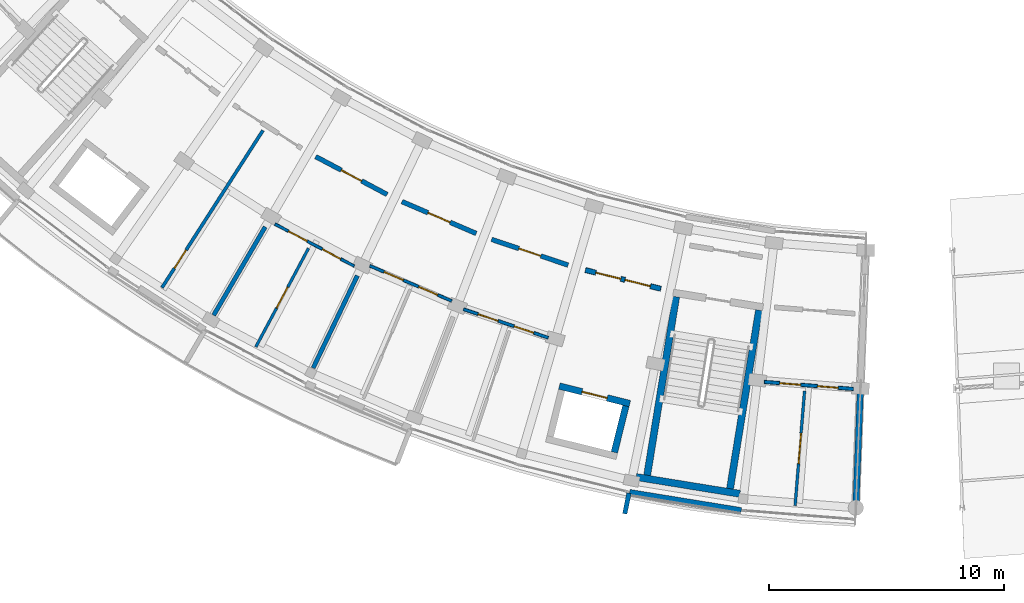
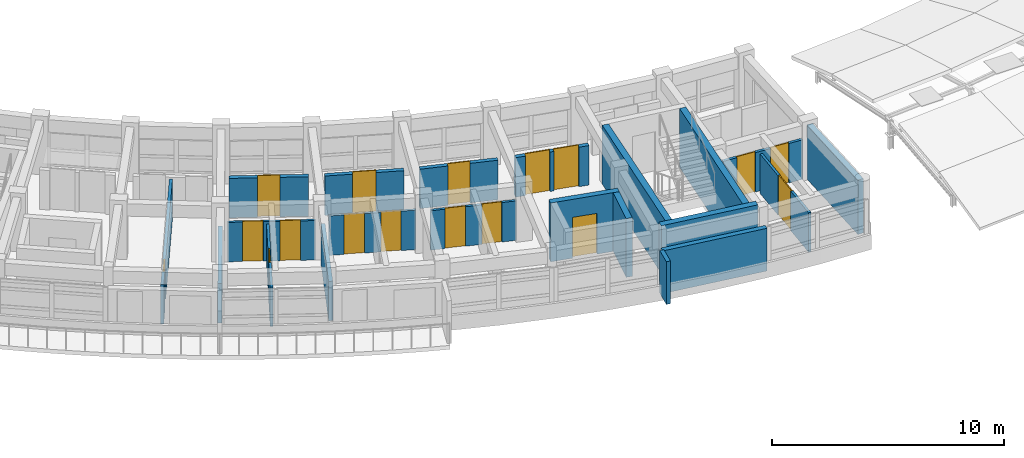
# One storey, part 36 of 50: 21 walls, 17 doors, 17 openings.
"""IFC4 building model written with IfcOpenShell, lengths in metres."""

from ifc_helpers import new_model, si_unit, direction, frame, frame_2d, origin, place, context, subcontext, project, spatial, rectangle, extrude, material, layer, layer_set, type_object, element, fill, save


model = new_model("IFC4")

# Units and contexts
model_context = context("Model", 3, precision=1e-05, world=origin(), true_north=direction((0.0, 1.0)))
body_context = subcontext(model_context, "Body", "Model", "MODEL_VIEW")
ifc_project = project(units=[si_unit("LENGTHUNIT", "METRE"), si_unit("AREAUNIT", "SQUARE_METRE"), si_unit("VOLUMEUNIT", "CUBIC_METRE"), si_unit("PLANEANGLEUNIT", "RADIAN"), si_unit("MASSUNIT", "GRAM", prefix="KILO")], contexts=[model_context])

# Site, building, storey
site_placement = place(None, origin())
site = spatial("IfcSite", under=ifc_project, at=site_placement, CompositionType="ELEMENT")
building_placement = place(site_placement, origin())
building = spatial("IfcBuilding", under=site, at=building_placement, Name="Zimvara Arc Housing Community", CompositionType="ELEMENT")
storey_placement = place(building_placement, frame((0.0, 0.0, 26.699951171875)))
storey = spatial("IfcBuildingStorey", under=building, at=storey_placement, Name="L08", CompositionType="ELEMENT", Elevation=26.699951171875)

# Walls
ifc_material_1 = material(Name="Board-Marked Fair-Faced Concrete C35/45", Category="concrete")
ifc_layer_1 = layer(ifc_material_1, 0.239990234375)
ifc_layer_set_1 = layer_set([ifc_layer_1], Name="Board-Marked Fair-Faced Concrete C35/45")
wall_type_1 = type_object("IfcWallType", Name="EWL-CONC-240", PredefinedType="SOLIDWALL", material=ifc_layer_set_1)
wall_1_placement = place(storey_placement, frame((114.100341796875, 51.681396484375, 0.0), z_axis=(0.0, 0.0, 1.0), x_axis=(0.987080750493, -0.160223568819, 0.0)))
element("IfcWall", 1, at=wall_1_placement, inside=storey, type_object=wall_type_1, Name="ewall:blkC:L08:out:b8", PredefinedType="SOLIDWALL", context=body_context, shape_type="SweptSolid", body=[
    extrude(rectangle(XDim=4.808837890625, YDim=0.239990234375, at=frame_2d((2.404296875, 0.0))), origin(), (0.0, 0.0, 1.0), 2.25),
])
ifc_material_2 = material(Name="Board-Marked Fair-Faced Concrete C35/45", Category="concrete")
ifc_layer_2 = layer(ifc_material_2, 0.195068359375)
ifc_layer_set_2 = layer_set([ifc_layer_2], Name="Board-Marked Fair-Faced Concrete C35/45")
wall_type_2 = type_object("IfcWallType", Name="EWL-PARA-195", PredefinedType="PARAPET", material=ifc_layer_set_2)
wall_2_placement = place(storey_placement, frame((114.072509765625, 51.645263671875, 0.0), z_axis=(0.0, 0.0, 1.0), x_axis=(-0.200236425943, -0.979747607155, 0.0)))
element("IfcWall", 2, at=wall_2_placement, inside=storey, type_object=wall_type_2, Name="finwall:blkC:L08:out:b8", PredefinedType="PARAPET", context=body_context, shape_type="SweptSolid", body=[
    extrude(rectangle(XDim=0.89990234375, YDim=0.195068359375, at=frame_2d((0.449951171875, 0.0))), origin(), (0.0, 0.0, 1.0), 2.25),
])

# Wall, openings, doors
ifc_material_3 = material(Name="Concrete C35/45", Category="concrete")
ifc_layer_3 = layer(ifc_material_3, 0.2099609375)
ifc_layer_set_3 = layer_set([ifc_layer_3], Name="Concrete C35/45")
wall_type_3 = type_object("IfcWallType", Name="IWL-CCF-210", PredefinedType="SOLIDWALL", material=ifc_layer_set_3)
wall_3_placement = place(storey_placement, frame((112.222900390625, 61.130126953125, 0.0), z_axis=(0.0, 0.0, 1.0), x_axis=(0.970719238682, -0.240216901263, 0.0)))
wall_3 = element("IfcWall", 3, at=wall_3_placement, inside=storey, type_object=wall_type_3, Name="iwall:blkC:L08:ll_div:b7", PredefinedType="SOLIDWALL", context=body_context, shape_type="SweptSolid", body=[
    extrude(rectangle(XDim=3.2958984375, YDim=0.2099609375, at=frame_2d((1.64794921875, 0.0))), origin(), (0.0, 0.0, 1.0), 2.080078125),
])
opening_1_placement = place(wall_3_placement, frame((0.449951171875, 0.0, 0.0)))
opening_1 = element("IfcOpeningElement", 4, at=opening_1_placement, cuts=wall_3, Name="Opening FD-CCF1", PredefinedType="OPENING", context=body_context, shape_type="SweptSolid", body=[
    extrude(rectangle(XDim=1.10009765625, YDim=2.14990234375, at=frame_2d((0.550048828125, 1.074951171875))), frame((0.0, 0.114990234375, 0.0), z_axis=(0.0, -1.0, 0.0), x_axis=(1.0, 0.0, 0.0)), (0.0, 0.0, 1.0), 0.22998046875),
])
opening_2_placement = place(wall_3_placement, frame((1.72607421875, 0.0, 0.0)))
opening_2 = element("IfcOpeningElement", 5, at=opening_2_placement, cuts=wall_3, Name="Opening D07", PredefinedType="OPENING", context=body_context, shape_type="SweptSolid", body=[
    extrude(rectangle(XDim=1.1201171875, YDim=2.14990234375, at=frame_2d((0.56005859375, 1.074951171875))), frame((0.0, 0.114990234375, 0.0), z_axis=(0.0, -1.0, 0.0), x_axis=(1.0, 0.0, 0.0)), (0.0, 0.0, 1.0), 0.22998046875),
])
ifc_material_4 = material(Name="Mozambican Hardwood", Category="wood")
door_type_1 = type_object("IfcDoorType", Name="IDR-AMN-1120x2150", OperationType="NOTDEFINED", PredefinedType="DOOR", material=ifc_material_4)
door_1_placement = place(opening_2_placement, origin())
door_1 = element("IfcDoor", 6, at=door_1_placement, inside=storey, type_object=door_type_1, Name="idoor:blkC:L08:rs_in:b7", OperationType="SINGLE_SWING_RIGHT", OverallHeight=2.14990234375, OverallWidth=1.1201171875, PredefinedType="DOOR", context=body_context, shape_type="SweptSolid", body=[
    extrude(rectangle(XDim=1.1201171875, YDim=2.14990234375, at=frame_2d((0.56005859375, 1.074951171875))), frame((0.0, 0.02490234375, 0.0), z_axis=(0.0, -1.0, 0.0), x_axis=(1.0, 0.0, 0.0)), (0.0, 0.0, 1.0), 0.050048828125),
])
fill(opening_2, door_1)
ifc_material_5 = material(Name="Anodised Aluminium AW-6063", Category="aluminium")
door_type_2 = type_object("IfcDoorType", Name="IDR-CCF-1100x2150", OperationType="NOTDEFINED", PredefinedType="DOOR", material=ifc_material_5)
door_2_placement = place(opening_1_placement, origin())
door_2 = element("IfcDoor", 7, at=door_2_placement, inside=storey, type_object=door_type_2, Name="idoor:blkC:L08:ll_in:b7", OperationType="SINGLE_SWING_LEFT", OverallHeight=2.14990234375, OverallWidth=1.10009765625, PredefinedType="DOOR", context=body_context, shape_type="SweptSolid", body=[
    extrude(rectangle(XDim=1.10009765625, YDim=2.14990234375, at=frame_2d((0.550048828125, 1.074951171875))), frame((0.0, 0.02490234375, 0.0), z_axis=(0.0, -1.0, 0.0), x_axis=(1.0, 0.0, 0.0)), (0.0, 0.0, 1.0), 0.050048828125),
])
fill(opening_1, door_2)

# Wall, opening, door
ifc_material_6 = material(Name="Concrete C35/45", Category="concrete")
ifc_layer_4 = layer(ifc_material_6, 0.199951171875)
ifc_layer_set_4 = layer_set([ifc_layer_4], Name="Concrete C35/45")
wall_type_4 = type_object("IfcWallType", Name="IWL-CORR-200", PredefinedType="SOLIDWALL", material=ifc_layer_set_4)
wall_4_placement = place(storey_placement, frame((100.750244140625, 65.9560546875, 0.0), z_axis=(0.0, 0.0, 1.0), x_axis=(0.883440266101, -0.468543803963, 0.0)))
wall_4 = element("IfcWall", 8, at=wall_4_placement, inside=storey, type_object=wall_type_4, Name="iwall:blkC:L08:corr_out:b4", PredefinedType="SOLIDWALL", context=body_context, shape_type="SweptSolid", body=[
    extrude(rectangle(XDim=3.435791015625, YDim=0.199951171875, at=frame_2d((1.7177734375, 0.0))), origin(), (0.0, 0.0, 1.0), 2.080078125),
])
opening_3_placement = place(wall_4_placement, frame((1.22802734375, 0.0, 0.0)))
opening_3 = element("IfcOpeningElement", 9, at=opening_3_placement, cuts=wall_4, Name="Opening FD-FL1", PredefinedType="OPENING", context=body_context, shape_type="SweptSolid", body=[
    extrude(rectangle(XDim=0.97998046875, YDim=2.14990234375, at=frame_2d((0.489990234375, 1.074951171875))), frame((0.0, 0.10986328125, 0.0), z_axis=(0.0, -1.0, 0.0), x_axis=(1.0, 0.0, 0.0)), (0.0, 0.0, 1.0), 0.219970703125),
])
ifc_material_7 = material(Name="Mozambican Hardwood", Category="wood")
door_type_3 = type_object("IfcDoorType", Name="IDR-FLAT-0980x2150", OperationType="NOTDEFINED", PredefinedType="DOOR", material=ifc_material_7)
door_3_placement = place(opening_3_placement, origin())
door_3 = element("IfcDoor", 10, at=door_3_placement, inside=storey, type_object=door_type_3, Name="idoor:blkC:L08:flat:b4", OperationType="SINGLE_SWING_LEFT", OverallHeight=2.14990234375, OverallWidth=0.97998046875, PredefinedType="DOOR", context=body_context, shape_type="SweptSolid", body=[
    extrude(rectangle(XDim=0.97998046875, YDim=2.14990234375, at=frame_2d((0.489990234375, 1.074951171875))), frame((0.0, 0.02490234375, 0.0), z_axis=(0.0, -1.0, 0.0), x_axis=(1.0, 0.0, 0.0)), (0.0, 0.0, 1.0), 0.050048828125),
])
fill(opening_3, door_3)

wall_5_placement = place(storey_placement, frame((104.41650390625, 64.0439453125, 0.0), z_axis=(0.0, 0.0, 1.0), x_axis=(0.918718172399, -0.394913813008, 0.0)))
wall_5 = element("IfcWall", 11, at=wall_5_placement, inside=storey, type_object=wall_type_4, Name="iwall:blkC:L08:corr_out:b5", PredefinedType="SOLIDWALL", context=body_context, shape_type="SweptSolid", body=[
    extrude(rectangle(XDim=3.43603515625, YDim=0.199951171875, at=frame_2d((1.718017578125, 0.0))), origin(), (0.0, 0.0, 1.0), 2.080078125),
])
opening_4_placement = place(wall_5_placement, frame((1.2080078125, 0.0, 0.0)))
opening_4 = element("IfcOpeningElement", 12, at=opening_4_placement, cuts=wall_5, Name="Opening FD-FL2", PredefinedType="OPENING", context=body_context, shape_type="SweptSolid", body=[
    extrude(rectangle(XDim=1.02001953125, YDim=2.14990234375, at=frame_2d((0.510009765625, 1.074951171875))), frame((0.0, 0.10986328125, 0.0), z_axis=(0.0, -1.0, 0.0), x_axis=(1.0, 0.0, 0.0)), (0.0, 0.0, 1.0), 0.219970703125),
])
ifc_material_8 = material(Name="Mozambican Hardwood", Category="wood")
door_type_4 = type_object("IfcDoorType", Name="IDR-FLAT-1020x2150", OperationType="NOTDEFINED", PredefinedType="DOOR", material=ifc_material_8)
door_4_placement = place(opening_4_placement, origin())
door_4 = element("IfcDoor", 13, at=door_4_placement, inside=storey, type_object=door_type_4, Name="idoor:blkC:L08:flat:b5", OperationType="SINGLE_SWING_LEFT", OverallHeight=2.14990234375, OverallWidth=1.02001953125, PredefinedType="DOOR", context=body_context, shape_type="SweptSolid", body=[
    extrude(rectangle(XDim=1.02001953125, YDim=2.14990234375, at=frame_2d((0.510009765625, 1.074951171875))), frame((0.0, 0.02490234375, 0.0), z_axis=(0.0, -1.0, 0.0), x_axis=(1.0, 0.0, 0.0)), (0.0, 0.0, 1.0), 0.050048828125),
])
fill(opening_4, door_4)

wall_6_placement = place(storey_placement, frame((108.2265625, 62.437255859375, 0.0), z_axis=(0.0, 0.0, 1.0), x_axis=(0.947884468821, -0.318614239745, 0.0)))
wall_6 = element("IfcWall", 14, at=wall_6_placement, inside=storey, type_object=wall_type_4, Name="iwall:blkC:L08:corr_out:b6", PredefinedType="SOLIDWALL", context=body_context, shape_type="SweptSolid", body=[
    extrude(rectangle(XDim=3.435791015625, YDim=0.199951171875, at=frame_2d((1.7177734375, 0.0))), origin(), (0.0, 0.0, 1.0), 2.080078125),
])
opening_5_placement = place(wall_6_placement, frame((1.22802734375, 0.0, 0.0)))
opening_5 = element("IfcOpeningElement", 15, at=opening_5_placement, cuts=wall_6, Name="Opening FD-FL1", PredefinedType="OPENING", context=body_context, shape_type="SweptSolid", body=[
    extrude(rectangle(XDim=0.97998046875, YDim=2.14990234375, at=frame_2d((0.489990234375, 1.074951171875))), frame((0.0, 0.10986328125, 0.0), z_axis=(0.0, -1.0, 0.0), x_axis=(1.0, 0.0, 0.0)), (0.0, 0.0, 1.0), 0.219970703125),
])
door_5_placement = place(opening_5_placement, origin())
door_5 = element("IfcDoor", 16, at=door_5_placement, inside=storey, type_object=door_type_3, Name="idoor:blkC:L08:flat:b6", OperationType="SINGLE_SWING_LEFT", OverallHeight=2.14990234375, OverallWidth=0.97998046875, PredefinedType="DOOR", context=body_context, shape_type="SweptSolid", body=[
    extrude(rectangle(XDim=0.97998046875, YDim=2.14990234375, at=frame_2d((0.489990234375, 1.074951171875))), frame((0.0, 0.02490234375, 0.0), z_axis=(0.0, -1.0, 0.0), x_axis=(1.0, 0.0, 0.0)), (0.0, 0.0, 1.0), 0.050048828125),
])
fill(opening_5, door_5)

# Walls
ifc_material_9 = material(Name="Concrete C35/45", Category="concrete")
ifc_layer_5 = layer(ifc_material_9, 0.18505859375)
ifc_layer_set_5 = layer_set([ifc_layer_5], Name="Concrete C35/45")
wall_type_5 = type_object("IfcWallType", Name="IWL-FLAT-185", PredefinedType="SOLIDWALL", material=ifc_layer_set_5)
wall_7_placement = place(storey_placement, frame((98.6005859375, 62.968017578125, 0.0), z_axis=(0.0, 0.0, 1.0), x_axis=(-0.504216452091, -0.863577309475, 0.0)))
element("IfcWall", 17, at=wall_7_placement, inside=storey, type_object=wall_type_5, Name="iwall:blkC:L08:party:b4", PredefinedType="SOLIDWALL", context=body_context, shape_type="SweptSolid", body=[
    extrude(rectangle(XDim=4.35009765625, YDim=0.18505859375, at=frame_2d((2.175048828125, 0.0))), origin(), (0.0, 0.0, 1.0), 2.080078125),
])
wall_8_placement = place(storey_placement, frame((102.517822265625, 60.890380859375, 0.0), z_axis=(0.0, 0.0, 1.0), x_axis=(-0.432108769108, -0.901821496561, 0.0)))
element("IfcWall", 18, at=wall_8_placement, inside=storey, type_object=wall_type_5, Name="iwall:blkC:L08:party:b5", PredefinedType="SOLIDWALL", context=body_context, shape_type="SweptSolid", body=[
    extrude(rectangle(XDim=4.349853515625, YDim=0.18505859375, at=frame_2d((2.1748046875, 0.0))), origin(), (0.0, 0.0, 1.0), 2.080078125),
])

# Wall, openings, doors
ifc_material_10 = material(Name="Painted Acoustic Plasterboard")
ifc_layer_6 = layer(ifc_material_10, 0.114990234375)
ifc_layer_set_6 = layer_set([ifc_layer_6], Name="Painted Acoustic Plasterboard")
wall_type_6 = type_object("IfcWallType", Name="IWL-PART-115", PredefinedType="PARTITIONING", material=ifc_layer_set_6)
wall_9_placement = place(storey_placement, frame((99.016845703125, 63.086669921875, 0.0), z_axis=(0.0, 0.0, 1.0), x_axis=(0.883415075746, -0.468591297342, 0.0)))
wall_9 = element("IfcWall", 19, at=wall_9_placement, inside=storey, type_object=wall_type_6, Name="iwall:blkC:L08:srv:b4", PredefinedType="PARTITIONING", context=body_context, shape_type="SweptSolid", body=[
    extrude(rectangle(XDim=3.8095703125, YDim=0.114990234375, at=frame_2d((1.90478515625, 0.0))), origin(), (0.0, 0.0, 1.0), 2.080078125),
])
opening_6_placement = place(wall_9_placement, frame((0.64990234375, 0.0, 0.0)))
opening_6 = element("IfcOpeningElement", 20, at=opening_6_placement, cuts=wall_9, Name="Opening D01", PredefinedType="OPENING", context=body_context, shape_type="SweptSolid", body=[
    extrude(rectangle(XDim=0.89990234375, YDim=2.10009765625, at=frame_2d((0.449951171875, 1.050048828125))), frame((0.0, 0.0673828125, 0.0), z_axis=(0.0, -1.0, 0.0), x_axis=(1.0, 0.0, 0.0)), (0.0, 0.0, 1.0), 0.135009765625),
])
opening_7_placement = place(wall_9_placement, frame((2.279541015625, 0.0, 0.0)))
opening_7 = element("IfcOpeningElement", 21, at=opening_7_placement, cuts=wall_9, Name="Opening D05", PredefinedType="OPENING", context=body_context, shape_type="SweptSolid", body=[
    extrude(rectangle(XDim=0.8798828125, YDim=2.10009765625, at=frame_2d((0.43994140625, 1.050048828125))), frame((0.0, 0.0673828125, 0.0), z_axis=(0.0, -1.0, 0.0), x_axis=(1.0, 0.0, 0.0)), (0.0, 0.0, 1.0), 0.135009765625),
])
ifc_material_11 = material(Name="Mozambican Hardwood", Category="wood")
door_type_5 = type_object("IfcDoorType", Name="IDR-RM-0900x2100", OperationType="NOTDEFINED", PredefinedType="DOOR", material=ifc_material_11)
door_6_placement = place(opening_6_placement, origin())
door_6 = element("IfcDoor", 22, at=door_6_placement, inside=storey, type_object=door_type_5, Name="idoor:blkC:L08:kit_liv:b4", OperationType="SINGLE_SWING_RIGHT", OverallHeight=2.10009765625, OverallWidth=0.89990234375, PredefinedType="DOOR", context=body_context, shape_type="SweptSolid", body=[
    extrude(rectangle(XDim=0.89990234375, YDim=2.10009765625, at=frame_2d((0.449951171875, 1.050048828125))), frame((0.0, 0.02490234375, 0.0), z_axis=(0.0, -1.0, 0.0), x_axis=(1.0, 0.0, 0.0)), (0.0, 0.0, 1.0), 0.050048828125),
])
fill(opening_6, door_6)
ifc_material_12 = material(Name="Mozambican Hardwood", Category="wood")
door_type_6 = type_object("IfcDoorType", Name="IDR-WC-0880x2100", OperationType="NOTDEFINED", PredefinedType="DOOR", material=ifc_material_12)
door_7_placement = place(opening_7_placement, origin())
door_7 = element("IfcDoor", 23, at=door_7_placement, inside=storey, type_object=door_type_6, Name="idoor:blkC:L08:bath_d:b4", OperationType="SINGLE_SWING_LEFT", OverallHeight=2.10009765625, OverallWidth=0.8798828125, PredefinedType="DOOR", context=body_context, shape_type="SweptSolid", body=[
    extrude(rectangle(XDim=0.8798828125, YDim=2.10009765625, at=frame_2d((0.43994140625, 1.050048828125))), frame((0.0, 0.02490234375, 0.0), z_axis=(0.0, -1.0, 0.0), x_axis=(1.0, 0.0, 0.0)), (0.0, 0.0, 1.0), 0.050048828125),
])
fill(opening_7, door_7)

# Wall, opening, door
ifc_material_13 = material(Name="Painted Acoustic Plasterboard")
ifc_layer_7 = layer(ifc_material_13, 0.1201171875)
ifc_layer_set_7 = layer_set([ifc_layer_7], Name="Painted Acoustic Plasterboard")
wall_type_7 = type_object("IfcWallType", Name="IWL-PART-120", PredefinedType="PARTITIONING", material=ifc_layer_set_7)
wall_10_placement = place(storey_placement, frame((100.4404296875, 62.054443359375, 0.0), z_axis=(0.0, 0.0, 1.0), x_axis=(-0.471207016772, -0.882022645596, 0.0)))
wall_10 = element("IfcWall", 24, at=wall_10_placement, inside=storey, type_object=wall_type_7, Name="iwall:blkC:L08:bed_div:b4", PredefinedType="PARTITIONING", context=body_context, shape_type="SweptSolid", body=[
    extrude(rectangle(XDim=4.75, YDim=0.1201171875, at=frame_2d((2.375, 0.0))), origin(), (0.0, 0.0, 1.0), 2.080078125),
])
opening_8_placement = place(wall_10_placement, frame((1.8701171875, 0.0, 0.0)))
opening_8 = element("IfcOpeningElement", 25, at=opening_8_placement, cuts=wall_10, Name="Opening D15", PredefinedType="OPENING", context=body_context, shape_type="SweptSolid", body=[
    extrude(rectangle(XDim=1.010009765625, YDim=2.10009765625, at=frame_2d((0.5048828125, 1.050048828125))), frame((0.0, 0.070068359375, 0.0), z_axis=(0.0, -1.0, 0.0), x_axis=(1.0, 0.0, 0.0)), (0.0, 0.0, 1.0), 0.14013671875),
])
ifc_material_14 = material(Name="Mozambican Hardwood", Category="wood")
door_type_7 = type_object("IfcDoorType", Name="IDR-MOD-1010x2160", OperationType="NOTDEFINED", PredefinedType="DOOR", material=ifc_material_14)
door_8_placement = place(opening_8_placement, origin())
door_8 = element("IfcDoor", 26, at=door_8_placement, inside=storey, type_object=door_type_7, Name="idoor:blkC:L08:bed_d:b4", OperationType="SINGLE_SWING_RIGHT", OverallHeight=2.10009765625, OverallWidth=1.010009765625, PredefinedType="DOOR", context=body_context, shape_type="SweptSolid", body=[
    extrude(rectangle(XDim=1.010009765625, YDim=2.10009765625, at=frame_2d((0.5048828125, 1.050048828125))), frame((0.0, 0.02490234375, 0.0), z_axis=(0.0, -1.0, 0.0), x_axis=(1.0, 0.0, 0.0)), (0.0, 0.0, 1.0), 0.050048828125),
])
fill(opening_8, door_8)

# Wall, openings, doors
wall_11_placement = place(storey_placement, frame((103.052490234375, 61.313232421875, 0.0), z_axis=(0.0, 0.0, 1.0), x_axis=(0.918714121981, -0.39492323567, 0.0)))
wall_11 = element("IfcWall", 27, at=wall_11_placement, inside=storey, type_object=wall_type_7, Name="iwall:blkC:L08:srv:b5", PredefinedType="PARTITIONING", context=body_context, shape_type="SweptSolid", body=[
    extrude(rectangle(XDim=3.78515625, YDim=0.1201171875, at=frame_2d((1.892578125, 0.0))), origin(), (0.0, 0.0, 1.0), 2.080078125),
])
opening_9_placement = place(wall_11_placement, frame((0.64990234375, 0.0, 0.0)))
opening_9 = element("IfcOpeningElement", 28, at=opening_9_placement, cuts=wall_11, Name="Opening D01", PredefinedType="OPENING", context=body_context, shape_type="SweptSolid", body=[
    extrude(rectangle(XDim=0.89990234375, YDim=2.10009765625, at=frame_2d((0.449951171875, 1.050048828125))), frame((0.0, 0.070068359375, 0.0), z_axis=(0.0, -1.0, 0.0), x_axis=(1.0, 0.0, 0.0)), (0.0, 0.0, 1.0), 0.14013671875),
])
opening_10_placement = place(wall_11_placement, frame((2.255126953125, 0.0, 0.0)))
opening_10 = element("IfcOpeningElement", 29, at=opening_10_placement, cuts=wall_11, Name="Opening D05", PredefinedType="OPENING", context=body_context, shape_type="SweptSolid", body=[
    extrude(rectangle(XDim=0.8798828125, YDim=2.10009765625, at=frame_2d((0.43994140625, 1.050048828125))), frame((0.0, 0.070068359375, 0.0), z_axis=(0.0, -1.0, 0.0), x_axis=(1.0, 0.0, 0.0)), (0.0, 0.0, 1.0), 0.14013671875),
])
door_9_placement = place(opening_9_placement, origin())
door_9 = element("IfcDoor", 30, at=door_9_placement, inside=storey, type_object=door_type_5, Name="idoor:blkC:L08:kit_liv:b5", OperationType="SINGLE_SWING_RIGHT", OverallHeight=2.10009765625, OverallWidth=0.89990234375, PredefinedType="DOOR", context=body_context, shape_type="SweptSolid", body=[
    extrude(rectangle(XDim=0.89990234375, YDim=2.10009765625, at=frame_2d((0.449951171875, 1.050048828125))), frame((0.0, 0.02490234375, 0.0), z_axis=(0.0, -1.0, 0.0), x_axis=(1.0, 0.0, 0.0)), (0.0, 0.0, 1.0), 0.050048828125),
])
fill(opening_9, door_9)
door_10_placement = place(opening_10_placement, origin())
door_10 = element("IfcDoor", 31, at=door_10_placement, inside=storey, type_object=door_type_6, Name="idoor:blkC:L08:bath_d:b5", OperationType="SINGLE_SWING_LEFT", OverallHeight=2.10009765625, OverallWidth=0.8798828125, PredefinedType="DOOR", context=body_context, shape_type="SweptSolid", body=[
    extrude(rectangle(XDim=0.8798828125, YDim=2.10009765625, at=frame_2d((0.43994140625, 1.050048828125))), frame((0.0, 0.02490234375, 0.0), z_axis=(0.0, -1.0, 0.0), x_axis=(1.0, 0.0, 0.0)), (0.0, 0.0, 1.0), 0.050048828125),
])
fill(opening_10, door_10)

# Wall, opening, door
wall_12_placement = place(storey_placement, frame((121.539306640625, 55.99267578125, 0.0), z_axis=(0.0, 0.0, 1.0), x_axis=(-0.082163012317, -0.996618903798, 0.0)))
wall_12 = element("IfcWall", 32, at=wall_12_placement, inside=storey, type_object=wall_type_7, Name="iwall:blkC:L08:bed_div:b9", PredefinedType="PARTITIONING", context=body_context, shape_type="SweptSolid", body=[
    extrude(rectangle(XDim=4.89990234375, YDim=0.1201171875, at=frame_2d((2.449951171875, 0.0))), origin(), (0.0, 0.0, 1.0), 2.080078125),
])
opening_11_placement = place(wall_12_placement, frame((1.800048828125, 0.0, 0.0)))
opening_11 = element("IfcOpeningElement", 33, at=opening_11_placement, cuts=wall_12, Name="Opening D20", PredefinedType="OPENING", context=body_context, shape_type="SweptSolid", body=[
    extrude(rectangle(XDim=1.300048828125, YDim=2.10009765625, at=frame_2d((0.64990234375, 1.050048828125))), frame((0.0, 0.070068359375, 0.0), z_axis=(0.0, -1.0, 0.0), x_axis=(1.0, 0.0, 0.0)), (0.0, 0.0, 1.0), 0.14013671875),
])
ifc_material_15 = material(Name="Mozambican Hardwood", Category="wood")
door_type_8 = type_object("IfcDoorType", Name="IDR-MOD-1300x2240", OperationType="NOTDEFINED", PredefinedType="DOOR", material=ifc_material_15)
door_11_placement = place(opening_11_placement, origin())
door_11 = element("IfcDoor", 34, at=door_11_placement, inside=storey, type_object=door_type_8, Name="idoor:blkC:L08:bed_d:b9", OperationType="SINGLE_SWING_LEFT", OverallHeight=2.10009765625, OverallWidth=1.300048828125, PredefinedType="DOOR", context=body_context, shape_type="SweptSolid", body=[
    extrude(rectangle(XDim=1.300048828125, YDim=2.10009765625, at=frame_2d((0.64990234375, 1.050048828125))), frame((0.0, 0.02490234375, 0.0), z_axis=(0.0, -1.0, 0.0), x_axis=(1.0, 0.0, 0.0)), (0.0, 0.0, 1.0), 0.050048828125),
])
fill(opening_11, door_11)

# Wall, openings, doors
ifc_material_16 = material(Name="Painted Acoustic Plasterboard")
ifc_layer_8 = layer(ifc_material_16, 0.125)
ifc_layer_set_8 = layer_set([ifc_layer_8], Name="Painted Acoustic Plasterboard")
wall_type_8 = type_object("IfcWallType", Name="IWL-PART-125", PredefinedType="PARTITIONING", material=ifc_layer_set_8)
wall_13_placement = place(storey_placement, frame((107.036376953125, 59.464111328125, 0.0), z_axis=(0.0, 0.0, 1.0), x_axis=(0.947883094845, -0.318618327323, 0.0)))
wall_13 = element("IfcWall", 35, at=wall_13_placement, inside=storey, type_object=wall_type_8, Name="iwall:blkC:L08:srv:b6", PredefinedType="PARTITIONING", context=body_context, shape_type="SweptSolid", body=[
    extrude(rectangle(XDim=3.797607421875, YDim=0.125, at=frame_2d((1.89892578125, 0.0))), origin(), (0.0, 0.0, 1.0), 2.080078125),
])
opening_12_placement = place(wall_13_placement, frame((0.64990234375, 0.0, 0.0)))
opening_12 = element("IfcOpeningElement", 36, at=opening_12_placement, cuts=wall_13, Name="Opening D01", PredefinedType="OPENING", context=body_context, shape_type="SweptSolid", body=[
    extrude(rectangle(XDim=0.89990234375, YDim=2.10009765625, at=frame_2d((0.449951171875, 1.050048828125))), frame((0.0, 0.072509765625, 0.0), z_axis=(0.0, -1.0, 0.0), x_axis=(1.0, 0.0, 0.0)), (0.0, 0.0, 1.0), 0.14501953125),
])
opening_13_placement = place(wall_13_placement, frame((2.267333984375, 0.0, 0.0)))
opening_13 = element("IfcOpeningElement", 37, at=opening_13_placement, cuts=wall_13, Name="Opening D05", PredefinedType="OPENING", context=body_context, shape_type="SweptSolid", body=[
    extrude(rectangle(XDim=0.8798828125, YDim=2.10009765625, at=frame_2d((0.43994140625, 1.050048828125))), frame((0.0, 0.072509765625, 0.0), z_axis=(0.0, -1.0, 0.0), x_axis=(1.0, 0.0, 0.0)), (0.0, 0.0, 1.0), 0.14501953125),
])
door_12_placement = place(opening_12_placement, origin())
door_12 = element("IfcDoor", 38, at=door_12_placement, inside=storey, type_object=door_type_5, Name="idoor:blkC:L08:kit_liv:b6", OperationType="SINGLE_SWING_RIGHT", OverallHeight=2.10009765625, OverallWidth=0.89990234375, PredefinedType="DOOR", context=body_context, shape_type="SweptSolid", body=[
    extrude(rectangle(XDim=0.89990234375, YDim=2.10009765625, at=frame_2d((0.449951171875, 1.050048828125))), frame((0.0, 0.02490234375, 0.0), z_axis=(0.0, -1.0, 0.0), x_axis=(1.0, 0.0, 0.0)), (0.0, 0.0, 1.0), 0.050048828125),
])
fill(opening_12, door_12)
door_13_placement = place(opening_13_placement, origin())
door_13 = element("IfcDoor", 39, at=door_13_placement, inside=storey, type_object=door_type_6, Name="idoor:blkC:L08:bath_d:b6", OperationType="SINGLE_SWING_LEFT", OverallHeight=2.10009765625, OverallWidth=0.8798828125, PredefinedType="DOOR", context=body_context, shape_type="SweptSolid", body=[
    extrude(rectangle(XDim=0.8798828125, YDim=2.10009765625, at=frame_2d((0.43994140625, 1.050048828125))), frame((0.0, 0.02490234375, 0.0), z_axis=(0.0, -1.0, 0.0), x_axis=(1.0, 0.0, 0.0)), (0.0, 0.0, 1.0), 0.050048828125),
])
fill(opening_13, door_13)

# Wall, opening, door
ifc_material_17 = material(Name="Painted Acoustic Plasterboard")
ifc_layer_9 = layer(ifc_material_17, 0.139892578125)
ifc_layer_set_9 = layer_set([ifc_layer_9], Name="Painted Acoustic Plasterboard")
wall_type_9 = type_object("IfcWallType", Name="IWL-PART-140", PredefinedType="PARTITIONING", material=ifc_layer_set_9)
wall_14_placement = place(storey_placement, frame((98.50390625, 67.072265625, 0.0), z_axis=(0.0, 0.0, 1.0), x_axis=(-0.540338452216, -0.841447774408, 0.0)))
wall_14 = element("IfcWall", 40, at=wall_14_placement, inside=storey, type_object=wall_type_9, Name="iwall:blkC:L08:amen_div:b3", PredefinedType="PARTITIONING", context=body_context, shape_type="SweptSolid", body=[
    extrude(rectangle(XDim=7.949951171875, YDim=0.139892578125, at=frame_2d((3.97509765625, 0.0))), origin(), (0.0, 0.0, 1.0), 2.080078125),
])
opening_14_placement = place(wall_14_placement, frame((6.050048828125, 0.0, 0.0)))
opening_14 = element("IfcOpeningElement", 41, at=opening_14_placement, cuts=wall_14, Name="Opening D02", PredefinedType="OPENING", context=body_context, shape_type="SweptSolid", body=[
    extrude(rectangle(XDim=0.919921875, YDim=2.10009765625, at=frame_2d((0.4599609375, 1.050048828125))), frame((0.0, 0.079833984375, 0.0), z_axis=(0.0, -1.0, 0.0), x_axis=(1.0, 0.0, 0.0)), (0.0, 0.0, 1.0), 0.159912109375),
])
ifc_material_18 = material(Name="Mozambican Hardwood", Category="wood")
door_type_9 = type_object("IfcDoorType", Name="IDR-RM-0920x2100", OperationType="NOTDEFINED", PredefinedType="DOOR", material=ifc_material_18)
door_14_placement = place(opening_14_placement, origin())
door_14 = element("IfcDoor", 42, at=door_14_placement, inside=storey, type_object=door_type_9, Name="idoor:blkC:L08:laund_d:b3", OperationType="SINGLE_SWING_RIGHT", OverallHeight=2.10009765625, OverallWidth=0.919921875, PredefinedType="DOOR", context=body_context, shape_type="SweptSolid", body=[
    extrude(rectangle(XDim=0.919921875, YDim=2.10009765625, at=frame_2d((0.4599609375, 1.050048828125))), frame((0.0, 0.02490234375, 0.0), z_axis=(0.0, -1.0, 0.0), x_axis=(1.0, 0.0, 0.0)), (0.0, 0.0, 1.0), 0.050048828125),
])
fill(opening_14, door_14)

# Wall, openings, doors
wall_15_placement = place(storey_placement, frame((119.828369140625, 56.3740234375, 0.0), z_axis=(0.0, 0.0, 1.0), x_axis=(0.996863138536, -0.079144696778, 0.0)))
wall_15 = element("IfcWall", 43, at=wall_15_placement, inside=storey, type_object=wall_type_9, Name="iwall:blkC:L08:srv:b9", PredefinedType="PARTITIONING", context=body_context, shape_type="SweptSolid", body=[
    extrude(rectangle(XDim=3.79736328125, YDim=0.139892578125, at=frame_2d((1.898681640625, 0.0))), origin(), (0.0, 0.0, 1.0), 2.080078125),
])
opening_15_placement = place(wall_15_placement, frame((0.64990234375, 0.0, 0.0)))
opening_15 = element("IfcOpeningElement", 44, at=opening_15_placement, cuts=wall_15, Name="Opening D01", PredefinedType="OPENING", context=body_context, shape_type="SweptSolid", body=[
    extrude(rectangle(XDim=0.89990234375, YDim=2.10009765625, at=frame_2d((0.449951171875, 1.050048828125))), frame((0.0, 0.079833984375, 0.0), z_axis=(0.0, -1.0, 0.0), x_axis=(1.0, 0.0, 0.0)), (0.0, 0.0, 1.0), 0.159912109375),
])
opening_16_placement = place(wall_15_placement, frame((2.267333984375, 0.0, 0.0)))
opening_16 = element("IfcOpeningElement", 45, at=opening_16_placement, cuts=wall_15, Name="Opening D05", PredefinedType="OPENING", context=body_context, shape_type="SweptSolid", body=[
    extrude(rectangle(XDim=0.8798828125, YDim=2.10009765625, at=frame_2d((0.43994140625, 1.050048828125))), frame((0.0, 0.079833984375, 0.0), z_axis=(0.0, -1.0, 0.0), x_axis=(1.0, 0.0, 0.0)), (0.0, 0.0, 1.0), 0.159912109375),
])
door_15_placement = place(opening_15_placement, origin())
door_15 = element("IfcDoor", 46, at=door_15_placement, inside=storey, type_object=door_type_5, Name="idoor:blkC:L08:kit_liv:b9", OperationType="SINGLE_SWING_LEFT", OverallHeight=2.10009765625, OverallWidth=0.89990234375, PredefinedType="DOOR", context=body_context, shape_type="SweptSolid", body=[
    extrude(rectangle(XDim=0.89990234375, YDim=2.10009765625, at=frame_2d((0.449951171875, 1.050048828125))), frame((0.0, 0.02490234375, 0.0), z_axis=(0.0, -1.0, 0.0), x_axis=(1.0, 0.0, 0.0)), (0.0, 0.0, 1.0), 0.050048828125),
])
fill(opening_15, door_15)
door_16_placement = place(opening_16_placement, origin())
door_16 = element("IfcDoor", 47, at=door_16_placement, inside=storey, type_object=door_type_6, Name="idoor:blkC:L08:bath_d:b9", OperationType="SINGLE_SWING_RIGHT", OverallHeight=2.10009765625, OverallWidth=0.8798828125, PredefinedType="DOOR", context=body_context, shape_type="SweptSolid", body=[
    extrude(rectangle(XDim=0.8798828125, YDim=2.10009765625, at=frame_2d((0.43994140625, 1.050048828125))), frame((0.0, 0.02490234375, 0.0), z_axis=(0.0, -1.0, 0.0), x_axis=(1.0, 0.0, 0.0)), (0.0, 0.0, 1.0), 0.050048828125),
])
fill(opening_16, door_16)

# Wall, opening, door
ifc_material_19 = material(Name="Concrete C40/50", Category="concrete")
ifc_layer_10 = layer(ifc_material_19, 0.280029296875)
ifc_layer_set_10 = layer_set([ifc_layer_10], Name="Concrete C40/50")
wall_type_10 = type_object("IfcWallType", Name="WL-CORE-280", PredefinedType="SHEAR", material=ifc_layer_set_10)
wall_16_placement = place(storey_placement, frame((111.10791015625, 56.1962890625, 0.0), z_axis=(0.0, 0.0, 1.0), x_axis=(0.970706856107, -0.240266933861, 0.0)))
wall_16 = element("IfcWall", 48, at=wall_16_placement, inside=storey, type_object=wall_type_10, Name="lwall:LP-C2:L08:front", PredefinedType="SHEAR", context=body_context, shape_type="SweptSolid", body=[
    extrude(rectangle(XDim=3.090087890625, YDim=0.280029296875, at=frame_2d((1.544921875, 0.0))), origin(), (0.0, 0.0, 1.0), 3.10009765625),
])
opening_17_placement = place(wall_16_placement, frame((0.9951171875, 0.0, 0.0)))
opening_17 = element("IfcOpeningElement", 49, at=opening_17_placement, cuts=wall_16, Name="Opening LD-LP-C2", PredefinedType="OPENING", context=body_context, shape_type="SweptSolid", body=[
    extrude(rectangle(XDim=1.10009765625, YDim=2.14990234375, at=frame_2d((0.550048828125, 1.074951171875))), frame((0.0, 0.14990234375, 0.0), z_axis=(0.0, -1.0, 0.0), x_axis=(1.0, 0.0, 0.0)), (0.0, 0.0, 1.0), 0.300048828125),
])
ifc_material_20 = material(Name="Anodised Aluminium AW-6063", Category="aluminium")
door_type_10 = type_object("IfcDoorType", Name="IDR-LD-1100x2150", OperationType="DOUBLE_DOOR_SLIDING", PredefinedType="DOOR", material=ifc_material_20)
door_17_placement = place(opening_17_placement, origin())
door_17 = element("IfcDoor", 50, at=door_17_placement, inside=storey, type_object=door_type_10, Name="Lift LP-C2 Sliding Landing Door L08", OperationType="DOUBLE_DOOR_SLIDING", OverallHeight=2.14990234375, OverallWidth=1.10009765625, PredefinedType="DOOR", context=body_context, shape_type="SweptSolid", body=[
    extrude(rectangle(XDim=1.10009765625, YDim=2.14990234375, at=frame_2d((0.550048828125, 1.074951171875))), frame((0.0, 0.02490234375, 0.0), z_axis=(0.0, -1.0, 0.0), x_axis=(1.0, 0.0, 0.0)), (0.0, 0.0, 1.0), 0.050048828125),
])
fill(opening_17, door_17)

# Walls
wall_17_placement = place(storey_placement, frame((113.93798828125, 55.3515625, 0.0), z_axis=(0.0, 0.0, 1.0), x_axis=(-0.2402993748, -0.970698825832, 0.0)))
element("IfcWall", 51, at=wall_17_placement, inside=storey, type_object=wall_type_10, Name="lwall:LP-C2:L08:right", PredefinedType="SHEAR", context=body_context, shape_type="SweptSolid", body=[
    extrude(rectangle(XDim=2.030029296875, YDim=0.280029296875, at=frame_2d((1.01513671875, 0.0))), origin(), (0.0, 0.0, 1.0), 3.10009765625),
])
ifc_material_21 = material(Name="Concrete C40/50", Category="concrete")
ifc_layer_11 = layer(ifc_material_21, 0.300048828125)
ifc_layer_set_11 = layer_set([ifc_layer_11], Name="Concrete C40/50")
wall_type_11 = type_object("IfcWallType", Name="WL-CORE-300", PredefinedType="SHEAR", material=ifc_layer_set_11)
wall_18_placement = place(storey_placement, frame((114.37744140625, 52.330810546875, 0.0), z_axis=(0.0, 0.0, 1.0), x_axis=(0.987077474317, -0.16024375088, 0.0)))
element("IfcWall", 52, at=wall_18_placement, inside=storey, type_object=wall_type_11, Name="cwall:ST-C2:L08:far", PredefinedType="SHEAR", context=body_context, shape_type="SweptSolid", body=[
    extrude(rectangle(XDim=4.47021484375, YDim=0.300048828125, at=frame_2d((2.235107421875, 0.0))), origin(), (0.0, 0.0, 1.0), 3.10009765625),
])
for number, where, z_axis, x_axis, name in (
    (53, (116.077880859375, 59.997314453125, 0.0), (0.0, 0.0, 1.0), (-0.160232517967, -0.987079297821, 0.0), "cwall:ST-C2:L08:left"),
    (54, (119.6015625, 59.42529296875, 0.0), (0.0, 0.0, 1.0), (-0.160201584773, -0.987084318706, 0.0), "cwall:ST-C2:L08:right"),
):
    element("IfcWall", number, at=place(storey_placement, frame(where, z_axis=z_axis, x_axis=x_axis)), inside=storey, type_object=wall_type_11, Name=name, PredefinedType="SHEAR", context=body_context, shape_type="SweptSolid", body=[
        extrude(rectangle(XDim=7.68994140625, YDim=0.300048828125, at=frame_2d((3.844970703125, 0.0))), origin(), (0.0, 0.0, 1.0), 3.10009765625),
    ])
ifc_material_22 = material(Name="Concrete C40/50", Category="concrete")
ifc_layer_12 = layer(ifc_material_22, 0.27001953125)
ifc_layer_set_12 = layer_set([ifc_layer_12], Name="Concrete C40/50")
wall_type_12 = type_object("IfcWallType", Name="WL-SHEAR-270", PredefinedType="SHEAR", material=ifc_layer_set_12)
wall_19_placement = place(storey_placement, frame((123.90771484375, 55.919677734375, 0.0), z_axis=(0.0, 0.0, 1.0), x_axis=(-0.038381471406, -0.99926315986, 0.0)))
element("IfcWall", 55, at=wall_19_placement, inside=storey, type_object=wall_type_12, Name="swall:blkC:L08:east", PredefinedType="SHEAR", context=body_context, shape_type="SweptSolid", body=[
    extrude(rectangle(XDim=4.7197265625, YDim=0.27001953125, at=frame_2d((2.35986328125, 0.0))), origin(), (0.0, 0.0, 1.0), 2.860107421875),
])

save(model, "model.ifc")
